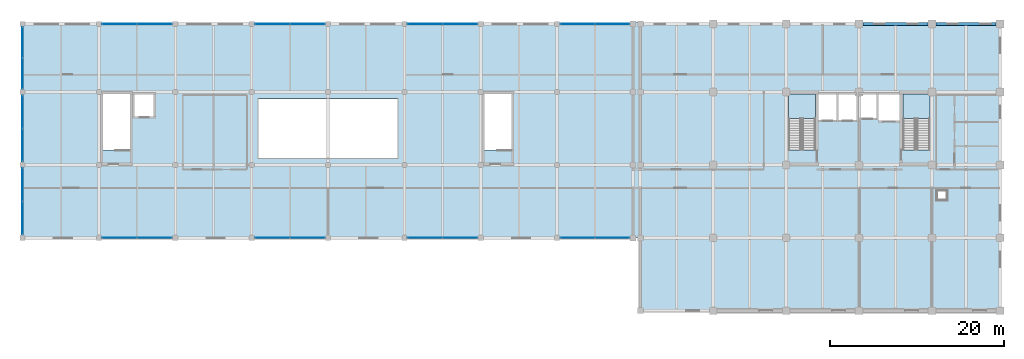
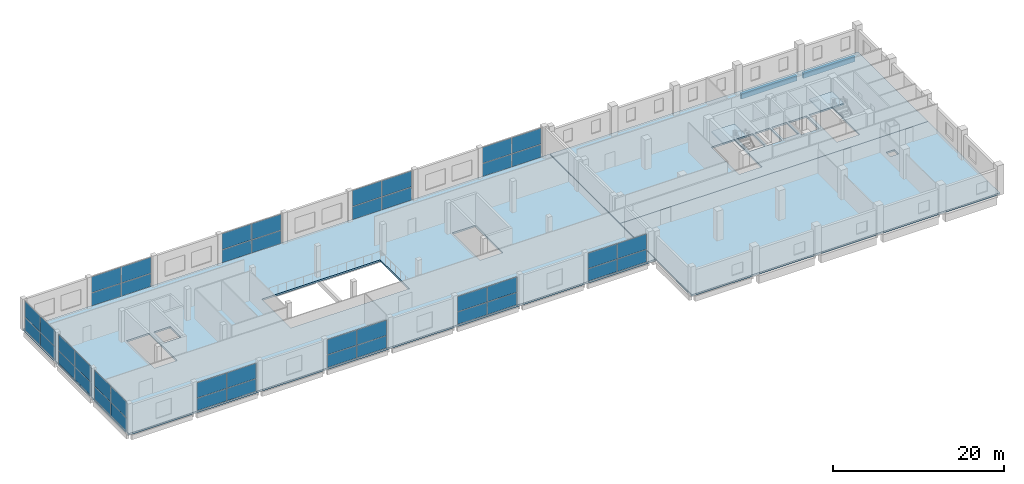
# One storey, part 12 of 18: 44 plates, 5 slabs, 2 beams, 13 elements without a shape of their own.
"""IFC4 building model written with IfcOpenShell, lengths in metres."""

from ifc_helpers import new_model, si_unit, direction, frame, origin, origin_2d, place, context, subcontext, project, spatial, polyline, rectangle, outline, extrude, material, layer, layer_set, material_profile, profile_set, type_object, element, aggregate, save


model = new_model("IFC4")

# Units and contexts
model_context = context("Model", 3, precision=1e-05, world=origin(), true_north=direction((0.0, 1.0)))
body_context = subcontext(model_context, "Body", "Model", "MODEL_VIEW")
ifc_project = project(units=[si_unit("LENGTHUNIT", "METRE"), si_unit("AREAUNIT", "SQUARE_METRE"), si_unit("VOLUMEUNIT", "CUBIC_METRE"), si_unit("PLANEANGLEUNIT", "RADIAN"), si_unit("MASSUNIT", "GRAM", prefix="KILO")], contexts=[model_context])

# Site, building, storey
site_placement = place(None, origin())
site = spatial("IfcSite", under=ifc_project, at=site_placement, CompositionType="ELEMENT")
building_placement = place(site_placement, origin())
building = spatial("IfcBuilding", under=site, at=building_placement, Name="Brinegate Botanical Conservatory", CompositionType="ELEMENT")
storey_placement = place(building_placement, frame((0.0, 0.0, 14.699951171875)))
storey = spatial("IfcBuildingStorey", under=building, at=storey_placement, Name="L04", CompositionType="ELEMENT", Elevation=14.699951171875)

# Beams
ifc_material_1 = material(Name="Concrete C40/50", Category="concrete")
ifc_material_profile = material_profile(ifc_material_1, rectangle(XDim=0.35009765625, YDim=0.75, at=origin_2d()), Name="RC SPN 350x750")
ifc_profile_set = profile_set([ifc_material_profile], Name="Concrete C40/50")
beam_type = type_object("IfcBeamType", Name="Beam_SP-01", PredefinedType="SPANDREL", material=ifc_profile_set)
beam_1_placement = place(storey_placement, frame((147.64990234375, 111.449951171875, -0.614990234375), z_axis=(1.0, 0.0, 0.0), x_axis=(0.0, 1.0, 0.0)))
element("IfcBeam", 1, at=beam_1_placement, inside=storey, type_object=beam_type, Name="Beam SP-01 L04 P:19-20", PredefinedType="SPANDREL", context=body_context, shape_type="SweptSolid", body=[
    extrude(rectangle(XDim=0.35009765625, YDim=0.75, at=origin_2d()), origin(), (0.0, 0.0, 1.0), 7.5),
])
beam_2_placement = place(storey_placement, frame((156.050048828125, 111.449951171875, -0.614990234375), z_axis=(1.0, 0.0, 0.0), x_axis=(0.0, 1.0, 0.0)))
element("IfcBeam", 2, at=beam_2_placement, inside=storey, type_object=beam_type, Name="Beam SP-01 L04 P:20-21", PredefinedType="SPANDREL", context=body_context, shape_type="SweptSolid", body=[
    extrude(rectangle(XDim=0.35009765625, YDim=0.75, at=origin_2d()), origin(), (0.0, 0.0, 1.0), 6.949951171875),
])

# Curtain wall, plates
ifc_material_2 = material(Name="Thermally broken anodised aluminium AW-6063-T6", Category="aluminium")
curtain_wall_type = type_object("IfcCurtainWallType", Name="CW_CW-V3", PredefinedType="USERDEFINED", material=ifc_material_2)
curtain_wall_1_placement = place(storey_placement, origin())
curtain_wall_1 = element("IfcCurtainWall", 3, at=curtain_wall_1_placement, inside=storey, type_object=curtain_wall_type, Name="Visitor north factory curtain wall L04.2", ObjectType="FACTORY CURTAIN WALL", PredefinedType="USERDEFINED")
ifc_material_3 = material(Name="Double-silver Low-E laminated safety glass", Category="glass")
ifc_layer_1 = layer(ifc_material_3, 0.028076171875, Name="Double-silver Low-E laminated safety glass", Category="glass")
ifc_layer_set_1 = layer_set([ifc_layer_1], Name="Double-silver Low-E laminated safety glass")
plate_type = type_object("IfcPlateType", Name="Plate_PN-28", PredefinedType="CURTAIN_PANEL", material=ifc_layer_set_1)
plate_1_placement = place(storey_placement, frame((61.986328125, 111.449951171875, 0.065185546875), z_axis=(0.0, 0.0, 1.0), x_axis=(1.0, 0.0, 0.0)))
plate_1 = element("IfcPlate", 4, at=plate_1_placement, type_object=plate_type, Name="CW-V3 panel 1.1", PredefinedType="CURTAIN_PANEL", context=body_context, shape_type="SweptSolid", body=[
    extrude(rectangle(XDim=3.96240234375, YDim=0.028076171875, at=origin_2d()), origin(), (0.0, 0.0, 1.0), 1.83740234375),
])
plate_2_placement = place(storey_placement, frame((61.986328125, 111.449951171875, 1.967529296875), z_axis=(0.0, 0.0, 1.0), x_axis=(1.0, 0.0, 0.0)))
plate_2 = element("IfcPlate", 5, at=plate_2_placement, type_object=plate_type, Name="CW-V3 panel 1.2", PredefinedType="CURTAIN_PANEL", context=body_context, shape_type="SweptSolid", body=[
    extrude(rectangle(XDim=3.96240234375, YDim=0.028076171875, at=origin_2d()), origin(), (0.0, 0.0, 1.0), 2.267578125),
])
plate_3_placement = place(storey_placement, frame((66.013671875, 111.449951171875, 0.065185546875), z_axis=(0.0, 0.0, 1.0), x_axis=(1.0, 0.0, 0.0)))
plate_3 = element("IfcPlate", 6, at=plate_3_placement, type_object=plate_type, Name="CW-V3 panel 2.1", PredefinedType="CURTAIN_PANEL", context=body_context, shape_type="SweptSolid", body=[
    extrude(rectangle(XDim=3.96240234375, YDim=0.028076171875, at=origin_2d()), origin(), (0.0, 0.0, 1.0), 1.83740234375),
])
plate_4_placement = place(storey_placement, frame((66.013671875, 111.449951171875, 1.967529296875), z_axis=(0.0, 0.0, 1.0), x_axis=(1.0, 0.0, 0.0)))
plate_4 = element("IfcPlate", 7, at=plate_4_placement, type_object=plate_type, Name="CW-V3 panel 2.2", PredefinedType="CURTAIN_PANEL", context=body_context, shape_type="SweptSolid", body=[
    extrude(rectangle(XDim=3.96240234375, YDim=0.028076171875, at=origin_2d()), origin(), (0.0, 0.0, 1.0), 2.267578125),
])
aggregate(curtain_wall_1, [plate_1, plate_2, plate_3, plate_4])

curtain_wall_2_placement = place(storey_placement, origin())
curtain_wall_2 = element("IfcCurtainWall", 8, at=curtain_wall_2_placement, inside=storey, type_object=curtain_wall_type, Name="Visitor south court curtain wall L04.2", ObjectType="FACTORY CURTAIN WALL", PredefinedType="USERDEFINED")
plate_5_placement = place(storey_placement, frame((66.013671875, 86.800048828125, 0.06494140625), z_axis=(0.0, 0.0, 1.0), x_axis=(-1.0, 0.0, 0.0)))
plate_5 = element("IfcPlate", 9, at=plate_5_placement, type_object=plate_type, Name="CW-V3 panel 1.1", PredefinedType="CURTAIN_PANEL", context=body_context, shape_type="SweptSolid", body=[
    extrude(rectangle(XDim=3.96240234375, YDim=0.028076171875, at=origin_2d()), origin(), (0.0, 0.0, 1.0), 1.758544921875),
])
plate_6_placement = place(storey_placement, frame((66.013671875, 86.800048828125, 1.888671875), z_axis=(0.0, 0.0, 1.0), x_axis=(-1.0, 0.0, 0.0)))
plate_6 = element("IfcPlate", 10, at=plate_6_placement, type_object=plate_type, Name="CW-V3 panel 1.2", PredefinedType="CURTAIN_PANEL", context=body_context, shape_type="SweptSolid", body=[
    extrude(rectangle(XDim=3.96240234375, YDim=0.028076171875, at=origin_2d()), origin(), (0.0, 0.0, 1.0), 2.17138671875),
])
plate_7_placement = place(storey_placement, frame((61.986328125, 86.800048828125, 0.06494140625), z_axis=(0.0, 0.0, 1.0), x_axis=(-1.0, 0.0, 0.0)))
plate_7 = element("IfcPlate", 11, at=plate_7_placement, type_object=plate_type, Name="CW-V3 panel 2.1", PredefinedType="CURTAIN_PANEL", context=body_context, shape_type="SweptSolid", body=[
    extrude(rectangle(XDim=3.96240234375, YDim=0.028076171875, at=origin_2d()), origin(), (0.0, 0.0, 1.0), 1.758544921875),
])
plate_8_placement = place(storey_placement, frame((61.986328125, 86.800048828125, 1.888671875), z_axis=(0.0, 0.0, 1.0), x_axis=(-1.0, 0.0, 0.0)))
plate_8 = element("IfcPlate", 12, at=plate_8_placement, type_object=plate_type, Name="CW-V3 panel 2.2", PredefinedType="CURTAIN_PANEL", context=body_context, shape_type="SweptSolid", body=[
    extrude(rectangle(XDim=3.96240234375, YDim=0.028076171875, at=origin_2d()), origin(), (0.0, 0.0, 1.0), 2.17138671875),
])
aggregate(curtain_wall_2, [plate_5, plate_6, plate_7, plate_8])

curtain_wall_3_placement = place(storey_placement, origin())
curtain_wall_3 = element("IfcCurtainWall", 13, at=curtain_wall_3_placement, inside=storey, type_object=curtain_wall_type, Name="Visitor north factory curtain wall L04.4", ObjectType="FACTORY CURTAIN WALL", PredefinedType="USERDEFINED")
plate_9_placement = place(storey_placement, frame((79.586181640625, 111.449951171875, 0.065185546875), z_axis=(0.0, 0.0, 1.0), x_axis=(1.0, 0.0, 0.0)))
plate_9 = element("IfcPlate", 14, at=plate_9_placement, type_object=plate_type, Name="CW-V3 panel 1.1", PredefinedType="CURTAIN_PANEL", context=body_context, shape_type="SweptSolid", body=[
    extrude(rectangle(XDim=3.96240234375, YDim=0.028076171875, at=origin_2d()), origin(), (0.0, 0.0, 1.0), 1.83740234375),
])
plate_10_placement = place(storey_placement, frame((79.586181640625, 111.449951171875, 1.967529296875), z_axis=(0.0, 0.0, 1.0), x_axis=(1.0, 0.0, 0.0)))
plate_10 = element("IfcPlate", 15, at=plate_10_placement, type_object=plate_type, Name="CW-V3 panel 1.2", PredefinedType="CURTAIN_PANEL", context=body_context, shape_type="SweptSolid", body=[
    extrude(rectangle(XDim=3.96240234375, YDim=0.028076171875, at=origin_2d()), origin(), (0.0, 0.0, 1.0), 2.267578125),
])
plate_11_placement = place(storey_placement, frame((83.61376953125, 111.449951171875, 0.065185546875), z_axis=(0.0, 0.0, 1.0), x_axis=(1.0, 0.0, 0.0)))
plate_11 = element("IfcPlate", 16, at=plate_11_placement, type_object=plate_type, Name="CW-V3 panel 2.1", PredefinedType="CURTAIN_PANEL", context=body_context, shape_type="SweptSolid", body=[
    extrude(rectangle(XDim=3.96240234375, YDim=0.028076171875, at=origin_2d()), origin(), (0.0, 0.0, 1.0), 1.83740234375),
])
plate_12_placement = place(storey_placement, frame((83.61376953125, 111.449951171875, 1.967529296875), z_axis=(0.0, 0.0, 1.0), x_axis=(1.0, 0.0, 0.0)))
plate_12 = element("IfcPlate", 17, at=plate_12_placement, type_object=plate_type, Name="CW-V3 panel 2.2", PredefinedType="CURTAIN_PANEL", context=body_context, shape_type="SweptSolid", body=[
    extrude(rectangle(XDim=3.96240234375, YDim=0.028076171875, at=origin_2d()), origin(), (0.0, 0.0, 1.0), 2.267578125),
])
aggregate(curtain_wall_3, [plate_9, plate_10, plate_11, plate_12])

curtain_wall_4_placement = place(storey_placement, origin())
curtain_wall_4 = element("IfcCurtainWall", 18, at=curtain_wall_4_placement, inside=storey, type_object=curtain_wall_type, Name="Visitor south court curtain wall L04.4", ObjectType="FACTORY CURTAIN WALL", PredefinedType="USERDEFINED")
plate_13_placement = place(storey_placement, frame((83.61376953125, 86.800048828125, 0.06494140625), z_axis=(0.0, 0.0, 1.0), x_axis=(-1.0, 0.0, 0.0)))
plate_13 = element("IfcPlate", 19, at=plate_13_placement, type_object=plate_type, Name="CW-V3 panel 1.1", PredefinedType="CURTAIN_PANEL", context=body_context, shape_type="SweptSolid", body=[
    extrude(rectangle(XDim=3.96240234375, YDim=0.028076171875, at=origin_2d()), origin(), (0.0, 0.0, 1.0), 1.758544921875),
])
plate_14_placement = place(storey_placement, frame((83.61376953125, 86.800048828125, 1.888671875), z_axis=(0.0, 0.0, 1.0), x_axis=(-1.0, 0.0, 0.0)))
plate_14 = element("IfcPlate", 20, at=plate_14_placement, type_object=plate_type, Name="CW-V3 panel 1.2", PredefinedType="CURTAIN_PANEL", context=body_context, shape_type="SweptSolid", body=[
    extrude(rectangle(XDim=3.96240234375, YDim=0.028076171875, at=origin_2d()), origin(), (0.0, 0.0, 1.0), 2.17138671875),
])
plate_15_placement = place(storey_placement, frame((79.586181640625, 86.800048828125, 0.06494140625), z_axis=(0.0, 0.0, 1.0), x_axis=(-1.0, 0.0, 0.0)))
plate_15 = element("IfcPlate", 21, at=plate_15_placement, type_object=plate_type, Name="CW-V3 panel 2.1", PredefinedType="CURTAIN_PANEL", context=body_context, shape_type="SweptSolid", body=[
    extrude(rectangle(XDim=3.96240234375, YDim=0.028076171875, at=origin_2d()), origin(), (0.0, 0.0, 1.0), 1.758544921875),
])
plate_16_placement = place(storey_placement, frame((79.586181640625, 86.800048828125, 1.888671875), z_axis=(0.0, 0.0, 1.0), x_axis=(-1.0, 0.0, 0.0)))
plate_16 = element("IfcPlate", 22, at=plate_16_placement, type_object=plate_type, Name="CW-V3 panel 2.2", PredefinedType="CURTAIN_PANEL", context=body_context, shape_type="SweptSolid", body=[
    extrude(rectangle(XDim=3.96240234375, YDim=0.028076171875, at=origin_2d()), origin(), (0.0, 0.0, 1.0), 2.17138671875),
])
aggregate(curtain_wall_4, [plate_13, plate_14, plate_15, plate_16])

curtain_wall_5_placement = place(storey_placement, origin())
curtain_wall_5 = element("IfcCurtainWall", 23, at=curtain_wall_5_placement, inside=storey, type_object=curtain_wall_type, Name="Visitor north factory curtain wall L04.6", ObjectType="FACTORY CURTAIN WALL", PredefinedType="USERDEFINED")
plate_17_placement = place(storey_placement, frame((97.186279296875, 111.449951171875, 0.065185546875), z_axis=(0.0, 0.0, 1.0), x_axis=(1.0, 0.0, 0.0)))
plate_17 = element("IfcPlate", 24, at=plate_17_placement, type_object=plate_type, Name="CW-V3 panel 1.1", PredefinedType="CURTAIN_PANEL", context=body_context, shape_type="SweptSolid", body=[
    extrude(rectangle(XDim=3.96240234375, YDim=0.028076171875, at=origin_2d()), origin(), (0.0, 0.0, 1.0), 1.83740234375),
])
plate_18_placement = place(storey_placement, frame((97.186279296875, 111.449951171875, 1.967529296875), z_axis=(0.0, 0.0, 1.0), x_axis=(1.0, 0.0, 0.0)))
plate_18 = element("IfcPlate", 25, at=plate_18_placement, type_object=plate_type, Name="CW-V3 panel 1.2", PredefinedType="CURTAIN_PANEL", context=body_context, shape_type="SweptSolid", body=[
    extrude(rectangle(XDim=3.96240234375, YDim=0.028076171875, at=origin_2d()), origin(), (0.0, 0.0, 1.0), 2.267578125),
])
plate_19_placement = place(storey_placement, frame((101.2138671875, 111.449951171875, 0.065185546875), z_axis=(0.0, 0.0, 1.0), x_axis=(1.0, 0.0, 0.0)))
plate_19 = element("IfcPlate", 26, at=plate_19_placement, type_object=plate_type, Name="CW-V3 panel 2.1", PredefinedType="CURTAIN_PANEL", context=body_context, shape_type="SweptSolid", body=[
    extrude(rectangle(XDim=3.96240234375, YDim=0.028076171875, at=origin_2d()), origin(), (0.0, 0.0, 1.0), 1.83740234375),
])
plate_20_placement = place(storey_placement, frame((101.2138671875, 111.449951171875, 1.967529296875), z_axis=(0.0, 0.0, 1.0), x_axis=(1.0, 0.0, 0.0)))
plate_20 = element("IfcPlate", 27, at=plate_20_placement, type_object=plate_type, Name="CW-V3 panel 2.2", PredefinedType="CURTAIN_PANEL", context=body_context, shape_type="SweptSolid", body=[
    extrude(rectangle(XDim=3.96240234375, YDim=0.028076171875, at=origin_2d()), origin(), (0.0, 0.0, 1.0), 2.267578125),
])
aggregate(curtain_wall_5, [plate_17, plate_18, plate_19, plate_20])

curtain_wall_6_placement = place(storey_placement, origin())
curtain_wall_6 = element("IfcCurtainWall", 28, at=curtain_wall_6_placement, inside=storey, type_object=curtain_wall_type, Name="Visitor south court curtain wall L04.6", ObjectType="FACTORY CURTAIN WALL", PredefinedType="USERDEFINED")
plate_21_placement = place(storey_placement, frame((101.2138671875, 86.800048828125, 0.06494140625), z_axis=(0.0, 0.0, 1.0), x_axis=(-1.0, 0.0, 0.0)))
plate_21 = element("IfcPlate", 29, at=plate_21_placement, type_object=plate_type, Name="CW-V3 panel 1.1", PredefinedType="CURTAIN_PANEL", context=body_context, shape_type="SweptSolid", body=[
    extrude(rectangle(XDim=3.96240234375, YDim=0.028076171875, at=origin_2d()), origin(), (0.0, 0.0, 1.0), 1.758544921875),
])
plate_22_placement = place(storey_placement, frame((101.2138671875, 86.800048828125, 1.888671875), z_axis=(0.0, 0.0, 1.0), x_axis=(-1.0, 0.0, 0.0)))
plate_22 = element("IfcPlate", 30, at=plate_22_placement, type_object=plate_type, Name="CW-V3 panel 1.2", PredefinedType="CURTAIN_PANEL", context=body_context, shape_type="SweptSolid", body=[
    extrude(rectangle(XDim=3.96240234375, YDim=0.028076171875, at=origin_2d()), origin(), (0.0, 0.0, 1.0), 2.17138671875),
])
plate_23_placement = place(storey_placement, frame((97.186279296875, 86.800048828125, 0.06494140625), z_axis=(0.0, 0.0, 1.0), x_axis=(-1.0, 0.0, 0.0)))
plate_23 = element("IfcPlate", 31, at=plate_23_placement, type_object=plate_type, Name="CW-V3 panel 2.1", PredefinedType="CURTAIN_PANEL", context=body_context, shape_type="SweptSolid", body=[
    extrude(rectangle(XDim=3.96240234375, YDim=0.028076171875, at=origin_2d()), origin(), (0.0, 0.0, 1.0), 1.758544921875),
])
plate_24_placement = place(storey_placement, frame((97.186279296875, 86.800048828125, 1.888671875), z_axis=(0.0, 0.0, 1.0), x_axis=(-1.0, 0.0, 0.0)))
plate_24 = element("IfcPlate", 32, at=plate_24_placement, type_object=plate_type, Name="CW-V3 panel 2.2", PredefinedType="CURTAIN_PANEL", context=body_context, shape_type="SweptSolid", body=[
    extrude(rectangle(XDim=3.96240234375, YDim=0.028076171875, at=origin_2d()), origin(), (0.0, 0.0, 1.0), 2.17138671875),
])
aggregate(curtain_wall_6, [plate_21, plate_22, plate_23, plate_24])

curtain_wall_7_placement = place(storey_placement, origin())
curtain_wall_7 = element("IfcCurtainWall", 33, at=curtain_wall_7_placement, inside=storey, type_object=curtain_wall_type, Name="Visitor north factory curtain wall L04.8", ObjectType="FACTORY CURTAIN WALL", PredefinedType="USERDEFINED")
plate_25_placement = place(storey_placement, frame((114.76123046875, 111.449951171875, 0.065185546875), z_axis=(0.0, 0.0, 1.0), x_axis=(1.0, 0.0, 0.0)))
plate_25 = element("IfcPlate", 34, at=plate_25_placement, type_object=plate_type, Name="CW-V3 panel 1.1", PredefinedType="CURTAIN_PANEL", context=body_context, shape_type="SweptSolid", body=[
    extrude(rectangle(XDim=3.91259765625, YDim=0.028076171875, at=origin_2d()), origin(), (0.0, 0.0, 1.0), 1.83740234375),
])
plate_26_placement = place(storey_placement, frame((114.76123046875, 111.449951171875, 1.967529296875), z_axis=(0.0, 0.0, 1.0), x_axis=(1.0, 0.0, 0.0)))
plate_26 = element("IfcPlate", 35, at=plate_26_placement, type_object=plate_type, Name="CW-V3 panel 1.2", PredefinedType="CURTAIN_PANEL", context=body_context, shape_type="SweptSolid", body=[
    extrude(rectangle(XDim=3.91259765625, YDim=0.028076171875, at=origin_2d()), origin(), (0.0, 0.0, 1.0), 2.267578125),
])
plate_27_placement = place(storey_placement, frame((118.73876953125, 111.449951171875, 0.065185546875), z_axis=(0.0, 0.0, 1.0), x_axis=(1.0, 0.0, 0.0)))
plate_27 = element("IfcPlate", 36, at=plate_27_placement, type_object=plate_type, Name="CW-V3 panel 2.1", PredefinedType="CURTAIN_PANEL", context=body_context, shape_type="SweptSolid", body=[
    extrude(rectangle(XDim=3.91259765625, YDim=0.028076171875, at=origin_2d()), origin(), (0.0, 0.0, 1.0), 1.83740234375),
])
plate_28_placement = place(storey_placement, frame((118.73876953125, 111.449951171875, 1.967529296875), z_axis=(0.0, 0.0, 1.0), x_axis=(1.0, 0.0, 0.0)))
plate_28 = element("IfcPlate", 37, at=plate_28_placement, type_object=plate_type, Name="CW-V3 panel 2.2", PredefinedType="CURTAIN_PANEL", context=body_context, shape_type="SweptSolid", body=[
    extrude(rectangle(XDim=3.91259765625, YDim=0.028076171875, at=origin_2d()), origin(), (0.0, 0.0, 1.0), 2.267578125),
])
aggregate(curtain_wall_7, [plate_25, plate_26, plate_27, plate_28])

curtain_wall_8_placement = place(storey_placement, origin())
curtain_wall_8 = element("IfcCurtainWall", 38, at=curtain_wall_8_placement, inside=storey, type_object=curtain_wall_type, Name="Visitor south court curtain wall L04.8", ObjectType="FACTORY CURTAIN WALL", PredefinedType="USERDEFINED")
plate_29_placement = place(storey_placement, frame((118.73876953125, 86.800048828125, 0.06494140625), z_axis=(0.0, 0.0, 1.0), x_axis=(-1.0, 0.0, 0.0)))
plate_29 = element("IfcPlate", 39, at=plate_29_placement, type_object=plate_type, Name="CW-V3 panel 1.1", PredefinedType="CURTAIN_PANEL", context=body_context, shape_type="SweptSolid", body=[
    extrude(rectangle(XDim=3.91259765625, YDim=0.028076171875, at=origin_2d()), origin(), (0.0, 0.0, 1.0), 1.758544921875),
])
plate_30_placement = place(storey_placement, frame((118.73876953125, 86.800048828125, 1.888671875), z_axis=(0.0, 0.0, 1.0), x_axis=(-1.0, 0.0, 0.0)))
plate_30 = element("IfcPlate", 40, at=plate_30_placement, type_object=plate_type, Name="CW-V3 panel 1.2", PredefinedType="CURTAIN_PANEL", context=body_context, shape_type="SweptSolid", body=[
    extrude(rectangle(XDim=3.91259765625, YDim=0.028076171875, at=origin_2d()), origin(), (0.0, 0.0, 1.0), 2.17138671875),
])
plate_31_placement = place(storey_placement, frame((114.76123046875, 86.800048828125, 0.06494140625), z_axis=(0.0, 0.0, 1.0), x_axis=(-1.0, 0.0, 0.0)))
plate_31 = element("IfcPlate", 41, at=plate_31_placement, type_object=plate_type, Name="CW-V3 panel 2.1", PredefinedType="CURTAIN_PANEL", context=body_context, shape_type="SweptSolid", body=[
    extrude(rectangle(XDim=3.91259765625, YDim=0.028076171875, at=origin_2d()), origin(), (0.0, 0.0, 1.0), 1.758544921875),
])
plate_32_placement = place(storey_placement, frame((114.76123046875, 86.800048828125, 1.888671875), z_axis=(0.0, 0.0, 1.0), x_axis=(-1.0, 0.0, 0.0)))
plate_32 = element("IfcPlate", 42, at=plate_32_placement, type_object=plate_type, Name="CW-V3 panel 2.2", PredefinedType="CURTAIN_PANEL", context=body_context, shape_type="SweptSolid", body=[
    extrude(rectangle(XDim=3.91259765625, YDim=0.028076171875, at=origin_2d()), origin(), (0.0, 0.0, 1.0), 2.17138671875),
])
aggregate(curtain_wall_8, [plate_29, plate_30, plate_31, plate_32])

curtain_wall_9_placement = place(storey_placement, origin())
curtain_wall_9 = element("IfcCurtainWall", 43, at=curtain_wall_9_placement, inside=storey, type_object=curtain_wall_type, Name="Visitor west forecourt curtain wall L04.1", ObjectType="FACTORY CURTAIN WALL", PredefinedType="USERDEFINED")
plate_33_placement = place(storey_placement, frame((50.800048828125, 89.086181640625, 0.065185546875), z_axis=(0.0, 0.0, 1.0), x_axis=(0.0, 1.0, 0.0)))
plate_33 = element("IfcPlate", 44, at=plate_33_placement, type_object=plate_type, Name="CW-V3 panel 1.1", PredefinedType="CURTAIN_PANEL", context=body_context, shape_type="SweptSolid", body=[
    extrude(rectangle(XDim=3.762451171875, YDim=0.028076171875, at=origin_2d()), origin(), (0.0, 0.0, 1.0), 1.83740234375),
])
plate_34_placement = place(storey_placement, frame((50.800048828125, 89.086181640625, 1.967529296875), z_axis=(0.0, 0.0, 1.0), x_axis=(0.0, 1.0, 0.0)))
plate_34 = element("IfcPlate", 45, at=plate_34_placement, type_object=plate_type, Name="CW-V3 panel 1.2", PredefinedType="CURTAIN_PANEL", context=body_context, shape_type="SweptSolid", body=[
    extrude(rectangle(XDim=3.762451171875, YDim=0.028076171875, at=origin_2d()), origin(), (0.0, 0.0, 1.0), 2.267578125),
])
plate_35_placement = place(storey_placement, frame((50.800048828125, 92.913818359375, 0.065185546875), z_axis=(0.0, 0.0, 1.0), x_axis=(0.0, 1.0, 0.0)))
plate_35 = element("IfcPlate", 46, at=plate_35_placement, type_object=plate_type, Name="CW-V3 panel 2.1", PredefinedType="CURTAIN_PANEL", context=body_context, shape_type="SweptSolid", body=[
    extrude(rectangle(XDim=3.762451171875, YDim=0.028076171875, at=origin_2d()), origin(), (0.0, 0.0, 1.0), 1.83740234375),
])
plate_36_placement = place(storey_placement, frame((50.800048828125, 92.913818359375, 1.967529296875), z_axis=(0.0, 0.0, 1.0), x_axis=(0.0, 1.0, 0.0)))
plate_36 = element("IfcPlate", 47, at=plate_36_placement, type_object=plate_type, Name="CW-V3 panel 2.2", PredefinedType="CURTAIN_PANEL", context=body_context, shape_type="SweptSolid", body=[
    extrude(rectangle(XDim=3.762451171875, YDim=0.028076171875, at=origin_2d()), origin(), (0.0, 0.0, 1.0), 2.267578125),
])
aggregate(curtain_wall_9, [plate_33, plate_34, plate_35, plate_36])

curtain_wall_10_placement = place(storey_placement, origin())
curtain_wall_10 = element("IfcCurtainWall", 48, at=curtain_wall_10_placement, inside=storey, type_object=curtain_wall_type, Name="Visitor west forecourt curtain wall L04.2", ObjectType="FACTORY CURTAIN WALL", PredefinedType="USERDEFINED")
plate_37_placement = place(storey_placement, frame((50.800048828125, 97.486328125, 0.065185546875), z_axis=(0.0, 0.0, 1.0), x_axis=(0.0, 1.0, 0.0)))
plate_37 = element("IfcPlate", 49, at=plate_37_placement, type_object=plate_type, Name="CW-V3 panel 1.1", PredefinedType="CURTAIN_PANEL", context=body_context, shape_type="SweptSolid", body=[
    extrude(rectangle(XDim=3.762451171875, YDim=0.028076171875, at=origin_2d()), origin(), (0.0, 0.0, 1.0), 1.83740234375),
])
plate_38_placement = place(storey_placement, frame((50.800048828125, 97.486328125, 1.967529296875), z_axis=(0.0, 0.0, 1.0), x_axis=(0.0, 1.0, 0.0)))
plate_38 = element("IfcPlate", 50, at=plate_38_placement, type_object=plate_type, Name="CW-V3 panel 1.2", PredefinedType="CURTAIN_PANEL", context=body_context, shape_type="SweptSolid", body=[
    extrude(rectangle(XDim=3.762451171875, YDim=0.028076171875, at=origin_2d()), origin(), (0.0, 0.0, 1.0), 2.267578125),
])
plate_39_placement = place(storey_placement, frame((50.800048828125, 101.313720703125, 0.065185546875), z_axis=(0.0, 0.0, 1.0), x_axis=(0.0, 1.0, 0.0)))
plate_39 = element("IfcPlate", 51, at=plate_39_placement, type_object=plate_type, Name="CW-V3 panel 2.1", PredefinedType="CURTAIN_PANEL", context=body_context, shape_type="SweptSolid", body=[
    extrude(rectangle(XDim=3.762451171875, YDim=0.028076171875, at=origin_2d()), origin(), (0.0, 0.0, 1.0), 1.83740234375),
])
plate_40_placement = place(storey_placement, frame((50.800048828125, 101.313720703125, 1.967529296875), z_axis=(0.0, 0.0, 1.0), x_axis=(0.0, 1.0, 0.0)))
plate_40 = element("IfcPlate", 52, at=plate_40_placement, type_object=plate_type, Name="CW-V3 panel 2.2", PredefinedType="CURTAIN_PANEL", context=body_context, shape_type="SweptSolid", body=[
    extrude(rectangle(XDim=3.762451171875, YDim=0.028076171875, at=origin_2d()), origin(), (0.0, 0.0, 1.0), 2.267578125),
])
aggregate(curtain_wall_10, [plate_37, plate_38, plate_39, plate_40])

curtain_wall_11_placement = place(storey_placement, origin())
curtain_wall_11 = element("IfcCurtainWall", 53, at=curtain_wall_11_placement, inside=storey, type_object=curtain_wall_type, Name="Visitor west forecourt curtain wall L04.3", ObjectType="FACTORY CURTAIN WALL", PredefinedType="USERDEFINED")
plate_41_placement = place(storey_placement, frame((50.800048828125, 105.748779296875, 0.065185546875), z_axis=(0.0, 0.0, 1.0), x_axis=(0.0, 1.0, 0.0)))
plate_41 = element("IfcPlate", 54, at=plate_41_placement, type_object=plate_type, Name="CW-V3 panel 1.1", PredefinedType="CURTAIN_PANEL", context=body_context, shape_type="SweptSolid", body=[
    extrude(rectangle(XDim=3.487548828125, YDim=0.028076171875, at=origin_2d()), origin(), (0.0, 0.0, 1.0), 1.83740234375),
])
plate_42_placement = place(storey_placement, frame((50.800048828125, 105.748779296875, 1.967529296875), z_axis=(0.0, 0.0, 1.0), x_axis=(0.0, 1.0, 0.0)))
plate_42 = element("IfcPlate", 55, at=plate_42_placement, type_object=plate_type, Name="CW-V3 panel 1.2", PredefinedType="CURTAIN_PANEL", context=body_context, shape_type="SweptSolid", body=[
    extrude(rectangle(XDim=3.487548828125, YDim=0.028076171875, at=origin_2d()), origin(), (0.0, 0.0, 1.0), 2.267578125),
])
plate_43_placement = place(storey_placement, frame((50.800048828125, 109.30126953125, 0.065185546875), z_axis=(0.0, 0.0, 1.0), x_axis=(0.0, 1.0, 0.0)))
plate_43 = element("IfcPlate", 56, at=plate_43_placement, type_object=plate_type, Name="CW-V3 panel 2.1", PredefinedType="CURTAIN_PANEL", context=body_context, shape_type="SweptSolid", body=[
    extrude(rectangle(XDim=3.487548828125, YDim=0.028076171875, at=origin_2d()), origin(), (0.0, 0.0, 1.0), 1.83740234375),
])
plate_44_placement = place(storey_placement, frame((50.800048828125, 109.30126953125, 1.967529296875), z_axis=(0.0, 0.0, 1.0), x_axis=(0.0, 1.0, 0.0)))
plate_44 = element("IfcPlate", 57, at=plate_44_placement, type_object=plate_type, Name="CW-V3 panel 2.2", PredefinedType="CURTAIN_PANEL", context=body_context, shape_type="SweptSolid", body=[
    extrude(rectangle(XDim=3.487548828125, YDim=0.028076171875, at=origin_2d()), origin(), (0.0, 0.0, 1.0), 2.267578125),
])
aggregate(curtain_wall_11, [plate_41, plate_42, plate_43, plate_44])

# Slabs
ifc_layer_2 = layer(ifc_material_1, 0.235107421875, Name="Concrete C40/50", Category="concrete")
ifc_layer_set_2 = layer_set([ifc_layer_2], Name="Concrete C40/50")
slab_type_1 = type_object("IfcSlabType", Name="Slab_SL-FL235", PredefinedType="FLOOR", material=ifc_layer_set_2)
slab_1_placement = place(storey_placement, frame((0.0, 0.0, -0.23486328125)))
element("IfcSlab", 58, at=slab_1_placement, inside=storey, type_object=slab_type_1, Name="Research Tower L04 south structural floor slab", PredefinedType="FLOOR", context=body_context, shape_type="SweptSolid", body=[
    extrude(outline(polyline([(163.60009765625, 78.39990234375), (122.0, 78.39990234375), (122.0, 95.199951171875), (163.60009765625, 95.199951171875), (163.60009765625, 78.39990234375)]), holes=[polyline([(156.199951171875, 91.199951171875), (157.300048828125, 91.199951171875), (157.300048828125, 92.199951171875), (156.199951171875, 92.199951171875), (156.199951171875, 91.199951171875)])]), origin(), (0.0, 0.0, 1.0), 0.23486328125),
])
ifc_layer_3 = layer(ifc_material_1, 0.239990234375, Name="Concrete C40/50", Category="concrete")
ifc_layer_set_3 = layer_set([ifc_layer_3], Name="Concrete C40/50")
slab_type_2 = type_object("IfcSlabType", Name="Slab_SL-FL240", PredefinedType="FLOOR", material=ifc_layer_set_3)
slab_2_placement = place(storey_placement, frame((0.0, 0.0, -0.239990234375)))
element("IfcSlab", 59, at=slab_2_placement, inside=storey, type_object=slab_type_2, Name="Visitor Wing L04 floor slab", PredefinedType="FLOOR", context=body_context, shape_type="SweptSolid", body=[
    extrude(outline(polyline([(50.800048828125, 86.800048828125), (121.919921875, 86.800048828125), (121.919921875, 111.60009765625), (50.800048828125, 111.60009765625), (50.800048828125, 86.800048828125)]), holes=[polyline([(63.14990234375, 96.89990234375), (63.14990234375, 103.35009765625), (60.050048828125, 103.35009765625), (60.050048828125, 96.89990234375), (63.14990234375, 96.89990234375)]), polyline([(107.14990234375, 96.89990234375), (107.14990234375, 103.35009765625), (104.050048828125, 103.35009765625), (104.050048828125, 96.89990234375), (107.14990234375, 96.89990234375)]), polyline([(63.699951171875, 100.800048828125), (65.89990234375, 100.800048828125), (65.89990234375, 103.300048828125), (63.699951171875, 103.300048828125), (63.699951171875, 100.800048828125)]), polyline([(78.0, 96.0), (94.0, 96.0), (94.0, 102.800048828125), (78.0, 102.800048828125), (78.0, 96.0)])]), origin(), (0.0, 0.0, 1.0), 0.239990234375),
])
slab_3_placement = place(storey_placement, frame((0.0, 0.0, -0.239990234375)))
element("IfcSlab", 60, at=slab_3_placement, inside=storey, type_object=slab_type_2, Name="Research Tower L04 north structural floor slab", PredefinedType="FLOOR", context=body_context, shape_type="SweptSolid", body=[
    extrude(outline(polyline([(122.0, 111.60009765625), (163.60009765625, 111.60009765625), (163.60009765625, 95.199951171875), (122.0, 95.199951171875), (122.0, 111.60009765625)]), holes=[polyline([(142.14990234375, 96.89990234375), (142.14990234375, 103.35009765625), (139.050048828125, 103.35009765625), (139.050048828125, 96.89990234375), (142.14990234375, 96.89990234375)]), polyline([(155.35009765625, 96.89990234375), (155.35009765625, 103.35009765625), (152.25, 103.35009765625), (152.25, 96.89990234375), (155.35009765625, 96.89990234375)]), polyline([(142.550048828125, 100.39990234375), (144.60009765625, 100.39990234375), (144.60009765625, 103.300048828125), (142.550048828125, 103.300048828125), (142.550048828125, 100.39990234375)]), polyline([(144.85009765625, 100.39990234375), (146.89990234375, 100.39990234375), (146.89990234375, 103.300048828125), (144.85009765625, 103.300048828125), (144.85009765625, 100.39990234375)]), polyline([(147.14990234375, 100.60009765625), (149.199951171875, 100.60009765625), (149.199951171875, 103.300048828125), (147.14990234375, 103.300048828125), (147.14990234375, 100.60009765625)]), polyline([(149.449951171875, 100.300048828125), (151.85009765625, 100.300048828125), (151.85009765625, 103.300048828125), (149.449951171875, 103.300048828125), (149.449951171875, 100.300048828125)])]), origin(), (0.0, 0.0, 1.0), 0.239990234375),
])

# Stair, slab
stair_type = type_object("IfcStairType", Name="Stair_HT-4500", PredefinedType="HALF_TURN_STAIR", material=ifc_material_1)
stair_1_placement = place(storey_placement, origin())
stair_1 = element("IfcStair", 61, at=stair_1_placement, inside=storey, type_object=stair_type, Name="L04 Tower West Smoke-Proof Stair ST1", PredefinedType="HALF_TURN_STAIR")
ifc_layer_4 = layer(ifc_material_1, 0.199951171875, Name="Concrete C40/50", Category="concrete")
ifc_layer_set_4 = layer_set([ifc_layer_4], Name="Concrete C40/50")
slab_type_3 = type_object("IfcSlabType", Name="Slab_SL-LD200", PredefinedType="LANDING", material=ifc_layer_set_4)
slab_4_placement = place(storey_placement, frame((0.0, 0.0, 2.050048828125)))
slab_4 = element("IfcSlab", 62, at=slab_4_placement, type_object=slab_type_3, Name="ST1 landing 1", PredefinedType="LANDING", context=body_context, shape_type="SweptSolid", body=[
    extrude(outline(polyline([(142.14990234375, 100.5400390625), (142.14990234375, 103.35009765625), (139.050048828125, 103.35009765625), (139.050048828125, 100.5400390625), (142.14990234375, 100.5400390625)])), origin(), (0.0, 0.0, 1.0), 0.199951171875),
])
aggregate(stair_1, [slab_4])

stair_2_placement = place(storey_placement, origin())
stair_2 = element("IfcStair", 63, at=stair_2_placement, inside=storey, type_object=stair_type, Name="L04 Tower East Smoke-Proof Stair ST2", PredefinedType="HALF_TURN_STAIR")
slab_5_placement = place(storey_placement, frame((0.0, 0.0, 2.050048828125)))
slab_5 = element("IfcSlab", 64, at=slab_5_placement, type_object=slab_type_3, Name="ST2 landing 1", PredefinedType="LANDING", context=body_context, shape_type="SweptSolid", body=[
    extrude(outline(polyline([(155.35009765625, 100.5400390625), (155.35009765625, 103.35009765625), (152.25, 103.35009765625), (152.25, 100.5400390625), (155.35009765625, 100.5400390625)])), origin(), (0.0, 0.0, 1.0), 0.199951171875),
])
aggregate(stair_2, [slab_5])

save(model, "model.ifc")
